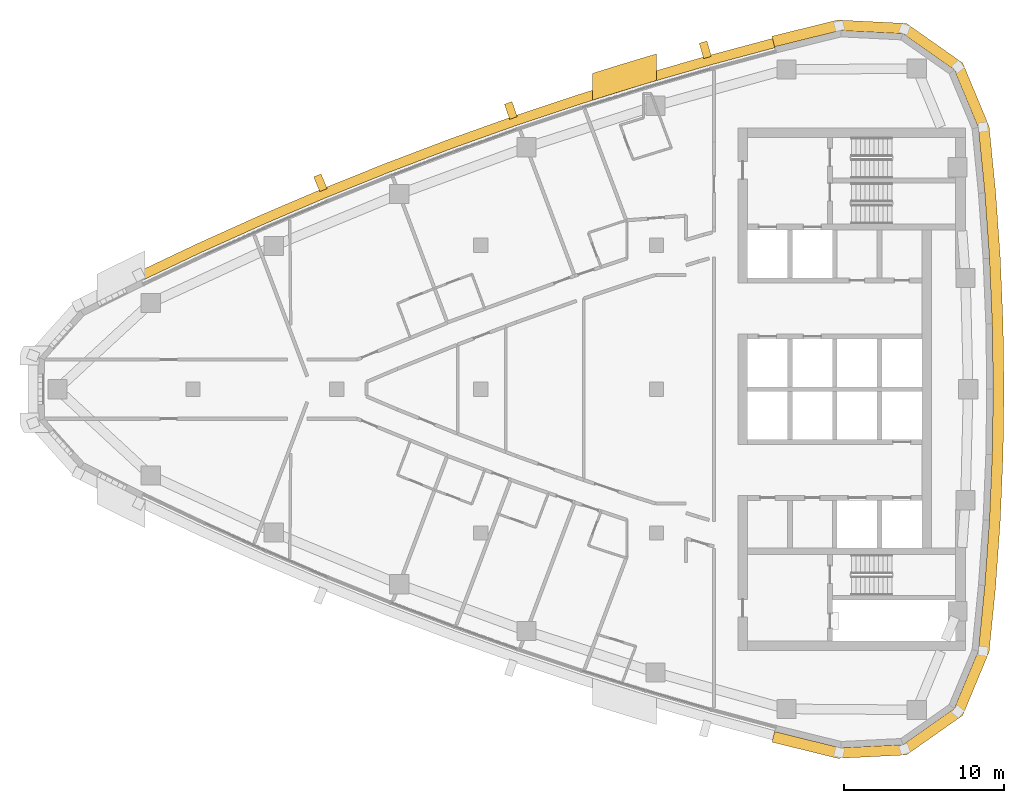
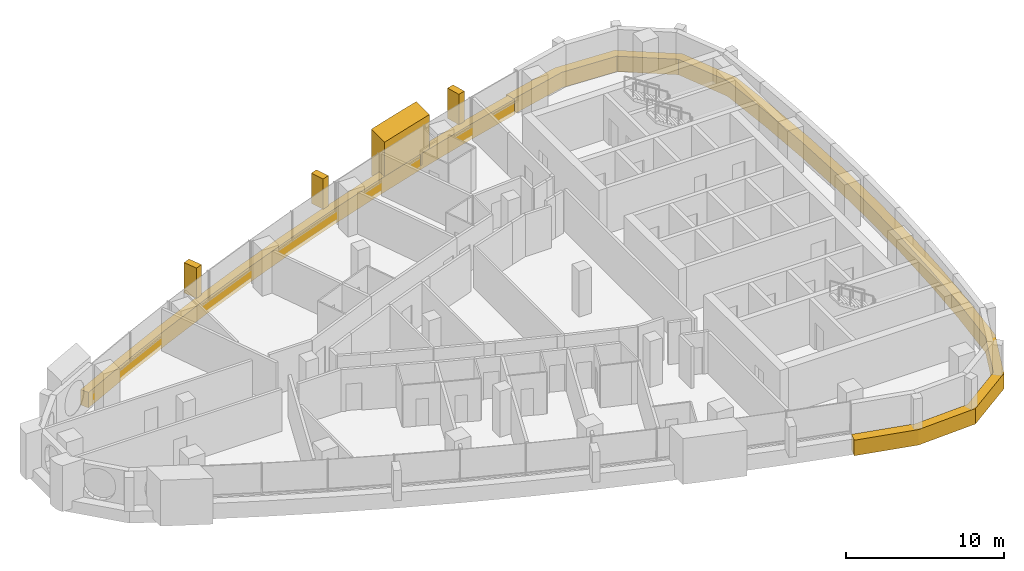
# One storey, part 15 of 16: 6 coverings.
"""IFC4 building model written with IfcOpenShell, lengths in metres."""

from ifc_helpers import new_model, si_unit, direction, frame, frame_2d, origin, place, context, subcontext, project, spatial, polyline, rectangle, outline, extrude, material, layer, layer_set, type_object, element, save


model = new_model("IFC4")

# Units and contexts
model_context = context("Model", 3, precision=1e-05, world=origin(), true_north=direction((0.0, 1.0)))
body_context = subcontext(model_context, "Body", "Model", "MODEL_VIEW")
ifc_project = project(units=[si_unit("LENGTHUNIT", "METRE"), si_unit("AREAUNIT", "SQUARE_METRE"), si_unit("VOLUMEUNIT", "CUBIC_METRE"), si_unit("PLANEANGLEUNIT", "RADIAN"), si_unit("MASSUNIT", "GRAM", prefix="KILO")], contexts=[model_context])

# Site, building, storey
site_placement = place(None, origin())
site = spatial("IfcSite", under=ifc_project, at=site_placement, CompositionType="ELEMENT")
building_placement = place(site_placement, origin())
building = spatial("IfcBuilding", under=site, at=building_placement, Name="Ostrand Prow Hotel Tower", CompositionType="ELEMENT")
storey_placement = place(building_placement, frame((0.0, 0.0, 220.800048828125)))
storey = spatial("IfcBuildingStorey", under=building, at=storey_placement, Name="L55", CompositionType="ELEMENT", Elevation=220.800048828125)

# Coverings
ifc_material_1 = material(Name="Bronze anodised aluminium cladding", Category="aluminium")
ifc_layer_1 = layer(ifc_material_1, 0.60009765625)
ifc_layer_set_1 = layer_set([ifc_layer_1], Name="Bronze anodised aluminium cladding")
covering_type_1 = type_object("IfcCoveringType", Name="Bronze spandrel band 1200x600", PredefinedType="CLADDING", material=ifc_layer_set_1)
covering_1_placement = place(storey_placement, frame((0.0, 0.0, -0.300048828125)))
element("IfcCovering", 1, at=covering_1_placement, inside=storey, type_object=covering_type_1, Name="Spandrel band N1", PredefinedType="CLADDING", context=body_context, shape_type="SweptSolid", body=[
    extrude(outline(polyline([(52.256591796875, 21.944580078125), (48.16064453125, 20.846435546875), (44.087890625, 19.665771484375), (40.039306640625, 18.403564453125), (36.017333984375, 17.059814453125), (32.02294921875, 15.635498046875), (28.058349609375, 14.131103515625), (24.12451171875, 12.547119140625), (20.2236328125, 10.88427734375), (16.35693359375, 9.14306640625), (12.526123046875, 7.324462890625), (12.788818359375, 6.784912109375), (16.60888671875, 8.598388671875), (20.464599609375, 10.334716796875), (24.354248046875, 11.992919921875), (28.27685546875, 13.572265625), (32.230224609375, 15.072509765625), (36.213134765625, 16.49267578125), (40.223876953125, 17.83251953125), (44.260498046875, 19.09130859375), (48.322021484375, 20.268310546875), (52.40625, 21.363525390625), (52.256591796875, 21.944580078125)])), origin(), (0.0, 0.0, 1.0), 1.199951171875),
])
covering_2_placement = place(storey_placement, frame((0.0, 0.0, -0.300048828125)))
element("IfcCovering", 2, at=covering_2_placement, inside=storey, type_object=covering_type_1, Name="Spandrel band back 1", PredefinedType="CLADDING", context=body_context, shape_type="SweptSolid", body=[
    extrude(outline(polyline([(52.22119140625, -22.081787109375), (56.34130859375, -23.09814453125), (60.638671875, -22.8837890625), (64.15771484375, -20.408447265625), (65.81201171875, -16.4365234375), (66.218505859375, -12.3388671875), (66.509033203125, -8.2314453125), (66.68359375, -4.117431640625), (66.74169921875, 0.0), (66.68359375, 4.117431640625), (66.509033203125, 8.2314453125), (66.218505859375, 12.3388671875), (65.81201171875, 16.4365234375), (64.15771484375, 20.408447265625), (60.638671875, 22.8837890625), (56.34130859375, 23.09814453125), (52.22119140625, 22.081787109375), (52.390869140625, 21.42333984375), (56.49755859375, 22.436279296875), (60.417236328125, 22.240966796875), (63.62744140625, 19.98291015625), (65.13623046875, 16.35986328125), (65.541015625, 12.281494140625), (65.830078125, 8.193115234375), (66.00390625, 4.09814453125), (66.061767578125, 0.0), (66.00390625, -4.09814453125), (65.830078125, -8.193115234375), (65.541015625, -12.281494140625), (65.13623046875, -16.35986328125), (63.62744140625, -19.98291015625), (60.417236328125, -22.240966796875), (56.49755859375, -22.436279296875), (52.390869140625, -21.42333984375), (52.22119140625, -22.081787109375)])), origin(), (0.0, 0.0, 1.0), 1.199951171875),
])
ifc_material_2 = material(Name="Limestone cladding", Category="masonry")
ifc_layer_2 = layer(ifc_material_2, 5.0)
ifc_layer_set_2 = layer_set([ifc_layer_2], Name="Limestone cladding")
covering_type_2 = type_object("IfcCoveringType", Name="Portal jamb pilaster limestone", PredefinedType="CLADDING", material=ifc_layer_set_2)
covering_3_placement = place(storey_placement, origin())
element("IfcCovering", 3, at=covering_3_placement, inside=storey, type_object=covering_type_2, Name="Portal jamb NB L55", PredefinedType="CLADDING", context=body_context, shape_type="SweptSolid", body=[
    extrude(outline(polyline([(41.0, 18.08154296875), (42.0, 18.3974609375), (43.0, 18.707763671875), (44.0, 19.0126953125), (45.0, 19.312255859375), (45.0, 20.980712890625), (44.0, 20.68359375), (43.0, 20.381103515625), (42.0, 20.0732421875), (41.0, 19.760009765625), (41.0, 18.08154296875)])), origin(), (0.0, 0.0, 1.0), 3.550048828125),
])
ifc_material_3 = material(Name="Limestone cladding", Category="masonry")
ifc_layer_3 = layer(ifc_material_3, 0.5)
ifc_layer_set_3 = layer_set([ifc_layer_3], Name="Limestone cladding")
covering_type_3 = type_object("IfcCoveringType", Name="Precast stone fin 500x900", PredefinedType="CLADDING", material=ifc_layer_set_3)
for number, where, z_axis, x_axis, name in (
    (4, (48.1875, 20.75, 0.89990234375), (0.0, 0.0, 1.0), (-0.26852507925, 0.963272693381, 0.0), "Stone fin N 2"),
    (5, (36.0498046875, 16.96533203125, 0.89990234375), (0.0, 0.0, 1.0), (-0.326389393469, 0.945235401279, 0.0), "Stone fin N 5"),
    (6, (24.162841796875, 12.45458984375, 0.89990234375), (0.0, 0.0, 1.0), (-0.382811769845, 0.923826362943, 0.0), "Stone fin N 8"),
):
    element("IfcCovering", number, at=place(storey_placement, frame(where, z_axis=z_axis, x_axis=x_axis)), inside=storey, type_object=covering_type_3, Name=name, PredefinedType="CLADDING", context=body_context, shape_type="SweptSolid", body=[
        extrude(rectangle(XDim=1.0, YDim=0.5, at=frame_2d((0.5, 0.0))), origin(), (0.0, 0.0, 1.0), 2.35009765625),
    ])

save(model, "model.ifc")
